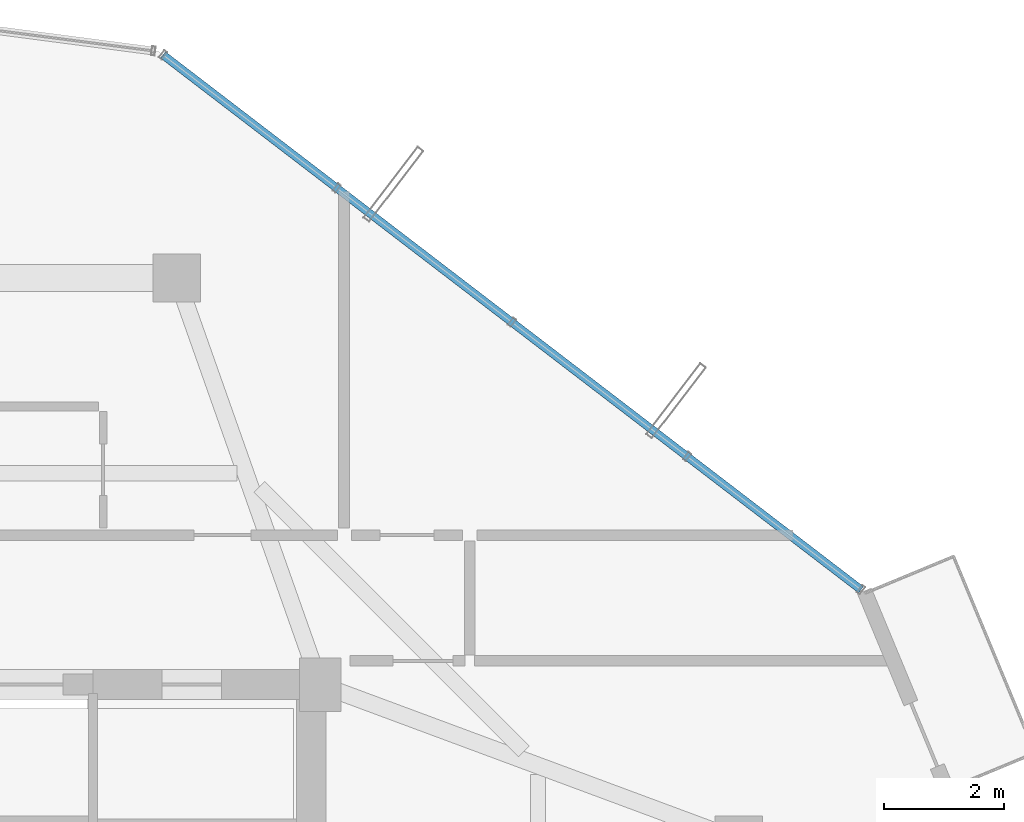
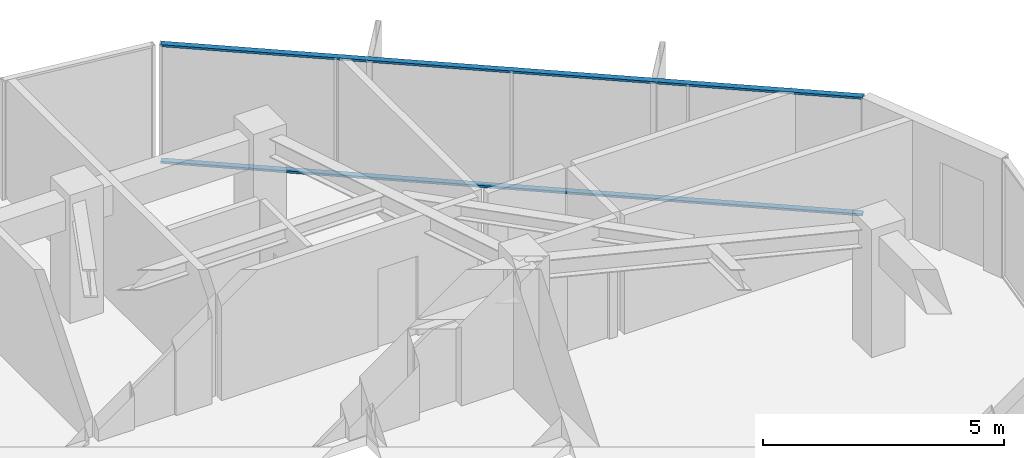
# One storey, part 18 of 31: 2 members, 1 element without a shape of its own.
"""IFC4 building model written with IfcOpenShell, lengths in metres."""

from ifc_helpers import new_model, si_unit, direction, frame, origin, origin_2d, place, context, subcontext, project, spatial, hollow_rectangle, extrude, source, transform, mapped, material, layer, layer_set, material_profile, profile_set, type_object, element, aggregate, save


model = new_model("IFC4")

# Units and contexts
model_context = context("Model", 3, precision=1e-05, world=origin(), true_north=direction((0.0, 1.0)))
body_context = subcontext(model_context, "Body", "Model", "MODEL_VIEW")
ifc_project = project(units=[si_unit("LENGTHUNIT", "METRE"), si_unit("AREAUNIT", "SQUARE_METRE"), si_unit("VOLUMEUNIT", "CUBIC_METRE"), si_unit("PLANEANGLEUNIT", "RADIAN"), si_unit("MASSUNIT", "GRAM", prefix="KILO")], contexts=[model_context])

# Site, building, storey
site_placement = place(None, origin())
site = spatial("IfcSite", under=ifc_project, at=site_placement, CompositionType="ELEMENT")
building_placement = place(site_placement, origin())
building = spatial("IfcBuilding", under=site, at=building_placement, Name="Veraguas Prism Commons", CompositionType="ELEMENT")
storey_placement = place(building_placement, frame((0.0, 0.0, 233.300048828125)))
storey = spatial("IfcBuildingStorey", under=building, at=storey_placement, Name="L66", CompositionType="ELEMENT", Elevation=233.300048828125)

# Curtain wall, members
ifc_material = material(Name="Anodised aluminium EN AW-6063 T6", Category="aluminium")
ifc_layer = layer(ifc_material, 0.14990234375, Name="Unitised Flush Curtain Wall Zone 4", Category="aluminium")
ifc_layer_set = layer_set([ifc_layer], Name="Anodised aluminium EN AW-6063 T6")
curtain_wall_type = type_object("IfcCurtainWallType", Name="Unitised Flush Curtain Wall Zone 4", PredefinedType="NOTDEFINED", material=ifc_layer_set)
curtain_wall_placement = place(storey_placement, origin())
curtain_wall = element("IfcCurtainWall", 1, at=curtain_wall_placement, inside=storey, type_object=curtain_wall_type, Name="Tower Facade Curtain Wall L66-F1", PredefinedType="NOTDEFINED")
ifc_material_profile = material_profile(ifc_material, hollow_rectangle(XDim=0.054931640625, YDim=0.135009765625, WallThickness=0.0029296875, at=origin_2d()), Name="AL55X135X3")
ifc_profile_set = profile_set([ifc_material_profile], Name="Anodised aluminium EN AW-6063 T6")
member_type = type_object("IfcMemberType", Name="Curtain Wall Transom Standard AL 55x135x3", PredefinedType="USERDEFINED", material=ifc_profile_set)
shared_shape = source(origin(), body_context, "Body", "SweptSolid", [
    extrude(hollow_rectangle(XDim=0.054931640625, YDim=0.135009765625, WallThickness=0.0029296875, at=origin_2d()), origin(), (0.0, 0.0, 1.0), 14.706298828125),
])
member_1_placement = place(storey_placement, frame((39.844482421875, 32.5888671875, 0.02734375), z_axis=(-0.793775999683, 0.608210212285, 0.0), x_axis=(0.0, 0.0, 1.0)))
member_1 = element("IfcMember", 2, at=member_1_placement, type_object=member_type, Name="CW-Z4 Transom 1", ObjectType="TRANSOM", PredefinedType="USERDEFINED", context=body_context, shape_type="MappedRepresentation", body=[
    mapped(shared_shape, transform((0.0, 0.0, 0.0), scale=1.0)),
])
member_2_placement = place(storey_placement, frame((39.844482421875, 32.5888671875, 2.987548828125), z_axis=(-0.793775999683, 0.608210212285, 0.0), x_axis=(0.0, 0.0, 1.0)))
member_2 = element("IfcMember", 3, at=member_2_placement, type_object=member_type, Name="CW-Z4 Transom 2", ObjectType="TRANSOM", PredefinedType="USERDEFINED", context=body_context, shape_type="MappedRepresentation", body=[
    mapped(shared_shape, transform((0.0, 0.0, 0.0), scale=1.0)),
])
aggregate(curtain_wall, [member_1, member_2])

save(model, "model.ifc")
